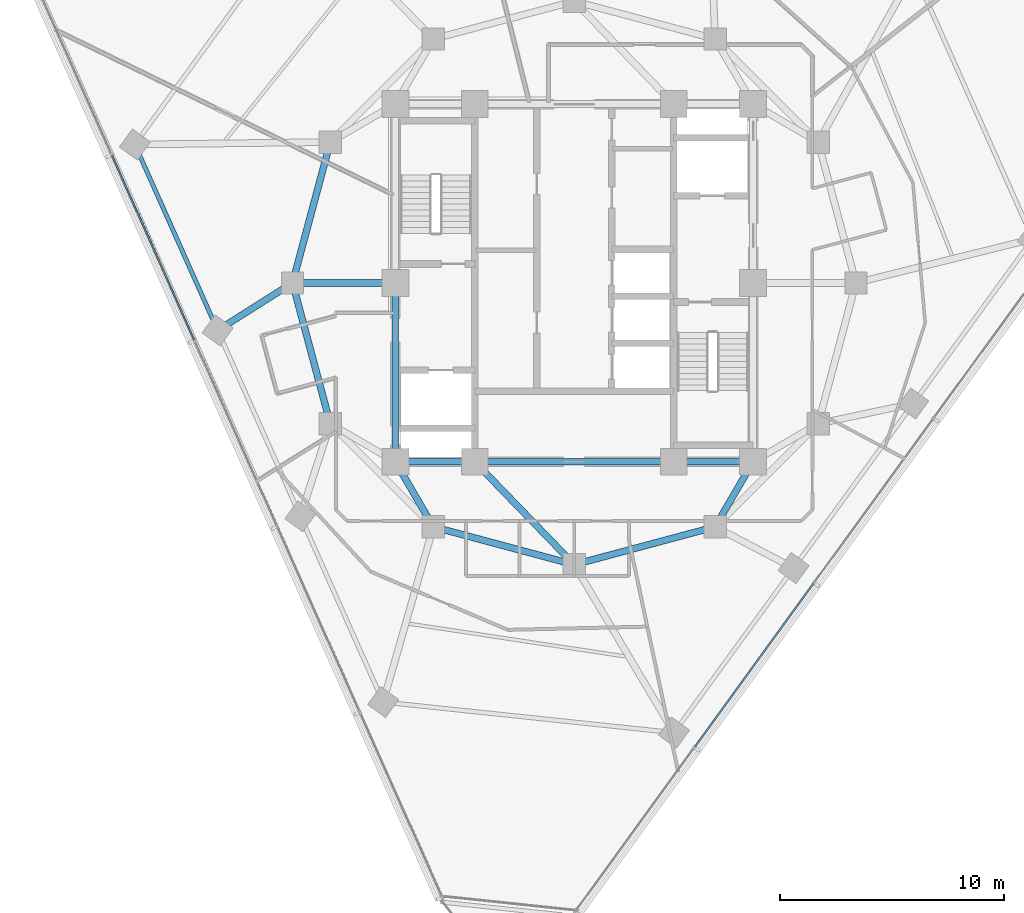
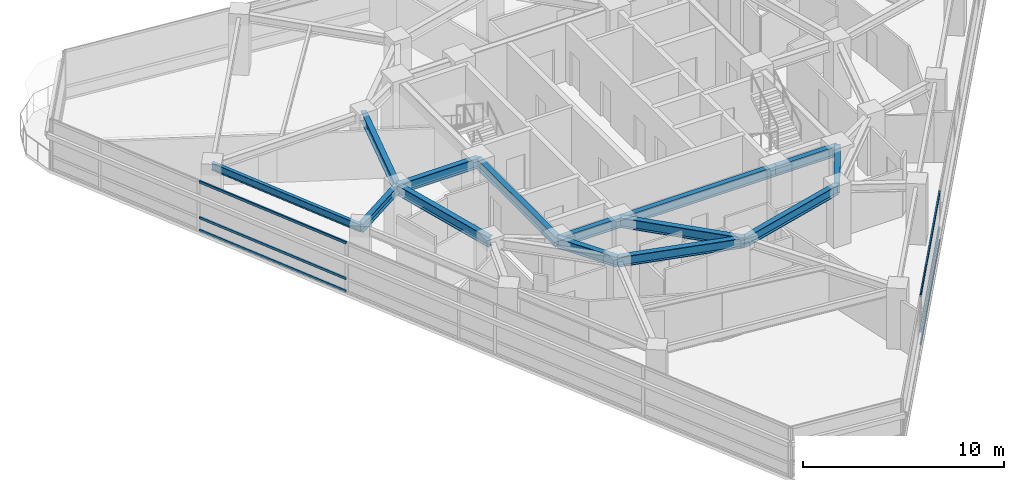
# One storey, part 3 of 14: 14 beams, 6 members, 2 elements without a shape of their own.
"""IFC4 building model written with IfcOpenShell, lengths in metres."""

from ifc_helpers import new_model, si_unit, direction, frame, origin, origin_2d, place, context, subcontext, project, spatial, rectangle, i_section, extrude, material, layer, layer_set, material_profile, profile_set, type_object, element, aggregate, save


model = new_model("IFC4")

# Units and contexts
model_context = context("Model", 3, precision=1e-05, world=origin(), true_north=direction((0.0, 1.0)))
body_context = subcontext(model_context, "Body", "Model", "MODEL_VIEW")
ifc_project = project(units=[si_unit("LENGTHUNIT", "METRE"), si_unit("AREAUNIT", "SQUARE_METRE"), si_unit("VOLUMEUNIT", "CUBIC_METRE"), si_unit("PLANEANGLEUNIT", "RADIAN"), si_unit("MASSUNIT", "GRAM", prefix="KILO")], contexts=[model_context])

# Site, building, storey
site_placement = place(None, origin())
site = spatial("IfcSite", under=ifc_project, at=site_placement, CompositionType="ELEMENT")
building_placement = place(site_placement, origin())
building = spatial("IfcBuilding", under=site, at=building_placement, Name="Terralouvre Media Tower", CompositionType="ELEMENT")
storey_placement = place(building_placement, frame((0.0, 0.0, 218.89990234375)))
storey = spatial("IfcBuildingStorey", under=building, at=storey_placement, Name="L56", CompositionType="ELEMENT", Elevation=218.89990234375)

# Curtain wall, members
ifc_material_1 = material(Name="Low-iron laminated double glazing with solar-control coating", Category="glass")
ifc_layer = layer(ifc_material_1, 0.1650390625, Name="Upper Executive Tower Curtain Wall CW-05")
ifc_layer_set = layer_set([ifc_layer], Name="Low-iron laminated double glazing with solar-control coating")
curtain_wall_type = type_object("IfcCurtainWallType", Name="Upper Executive Tower Curtain Wall CW-05", PredefinedType="NOTDEFINED", material=ifc_layer_set)
curtain_wall_1_placement = place(storey_placement, origin())
curtain_wall_1 = element("IfcCurtainWall", 1, at=curtain_wall_1_placement, inside=storey, type_object=curtain_wall_type, Name="L56 Facade Curtain Wall F0", PredefinedType="NOTDEFINED")
ifc_material_2 = material(Name="Anodised extruded aluminium 6063-T6", Category="aluminium")
ifc_material_profile_1 = material_profile(ifc_material_2, rectangle(XDim=0.074951171875, YDim=0.14990234375, at=origin_2d()), Name="ALU 75x150")
ifc_profile_set_1 = profile_set([ifc_material_profile_1], Name="Anodised extruded aluminium 6063-T6")
member_type = type_object("IfcMemberType", Name="Curtain-Wall Horizontal Transom TR-150", PredefinedType="USERDEFINED", material=ifc_profile_set_1)
member_1_placement = place(storey_placement, frame((5.39990234375, -20.749267578125, 0.03759765625), z_axis=(0.587772727709, 0.809026093869, 0.0), x_axis=(-0.809026093869, 0.587772727709, 0.0)))
member_1 = element("IfcMember", 2, at=member_1_placement, type_object=member_type, Name="CW-05 transom 2.1", ObjectType="TRANSOM", PredefinedType="USERDEFINED", context=body_context, shape_type="SweptSolid", body=[
    extrude(rectangle(XDim=0.074951171875, YDim=0.14990234375, at=origin_2d()), origin(), (0.0, 0.0, 1.0), 9.025146484375),
])
member_2_placement = place(storey_placement, frame((5.39990234375, -20.749267578125, 0.800048828125), z_axis=(0.587772727709, 0.809026093869, 0.0), x_axis=(-0.809026093869, 0.587772727709, 0.0)))
member_2 = element("IfcMember", 3, at=member_2_placement, type_object=member_type, Name="CW-05 transom 2.2", ObjectType="TRANSOM", PredefinedType="USERDEFINED", context=body_context, shape_type="SweptSolid", body=[
    extrude(rectangle(XDim=0.074951171875, YDim=0.14990234375, at=origin_2d()), origin(), (0.0, 0.0, 1.0), 9.025146484375),
])
member_3_placement = place(storey_placement, frame((5.39990234375, -20.749267578125, 2.962646484375), z_axis=(0.587772727709, 0.809026093869, 0.0), x_axis=(-0.809026093869, 0.587772727709, 0.0)))
member_3 = element("IfcMember", 4, at=member_3_placement, type_object=member_type, Name="CW-05 transom 2.3", ObjectType="TRANSOM", PredefinedType="USERDEFINED", context=body_context, shape_type="SweptSolid", body=[
    extrude(rectangle(XDim=0.074951171875, YDim=0.14990234375, at=origin_2d()), origin(), (0.0, 0.0, 1.0), 9.025146484375),
])
aggregate(curtain_wall_1, [member_1, member_2, member_3])

curtain_wall_2_placement = place(storey_placement, origin())
curtain_wall_2 = element("IfcCurtainWall", 5, at=curtain_wall_2_placement, inside=storey, type_object=curtain_wall_type, Name="L56 Facade Curtain Wall F2", PredefinedType="NOTDEFINED")
member_4_placement = place(storey_placement, frame((-20.66943359375, 5.6982421875, 0.03759765625), z_axis=(0.406740753437, -0.913543627581, 0.0), x_axis=(0.913543627581, 0.406740753437, 0.0)))
member_4 = element("IfcMember", 6, at=member_4_placement, type_object=member_type, Name="CW-05 transom 2.1", ObjectType="TRANSOM", PredefinedType="USERDEFINED", context=body_context, shape_type="SweptSolid", body=[
    extrude(rectangle(XDim=0.074951171875, YDim=0.14990234375, at=origin_2d()), origin(), (0.0, 0.0, 1.0), 9.025146484375),
])
member_5_placement = place(storey_placement, frame((-20.66943359375, 5.6982421875, 0.800048828125), z_axis=(0.406740753437, -0.913543627581, 0.0), x_axis=(0.913543627581, 0.406740753437, 0.0)))
member_5 = element("IfcMember", 7, at=member_5_placement, type_object=member_type, Name="CW-05 transom 2.2", ObjectType="TRANSOM", PredefinedType="USERDEFINED", context=body_context, shape_type="SweptSolid", body=[
    extrude(rectangle(XDim=0.074951171875, YDim=0.14990234375, at=origin_2d()), origin(), (0.0, 0.0, 1.0), 9.025146484375),
])
member_6_placement = place(storey_placement, frame((-20.66943359375, 5.6982421875, 2.962646484375), z_axis=(0.406740753437, -0.913543627581, 0.0), x_axis=(0.913543627581, 0.406740753437, 0.0)))
member_6 = element("IfcMember", 8, at=member_6_placement, type_object=member_type, Name="CW-05 transom 2.3", ObjectType="TRANSOM", PredefinedType="USERDEFINED", context=body_context, shape_type="SweptSolid", body=[
    extrude(rectangle(XDim=0.074951171875, YDim=0.14990234375, at=origin_2d()), origin(), (0.0, 0.0, 1.0), 9.025146484375),
])
aggregate(curtain_wall_2, [member_4, member_5, member_6])

# Beams
ifc_material_3 = material(Name="Structural steel S355J2", Category="steel")
ifc_material_profile_2 = material_profile(ifc_material_3, i_section(OverallWidth=0.18994140625, OverallDepth=0.449951171875, WebThickness=0.009521484375, FlangeThickness=0.0146484375, at=origin_2d()), Name="IPE 450")
ifc_profile_set_2 = profile_set([ifc_material_profile_2], Name="Structural steel S355J2")
beam_type_1 = type_object("IfcBeamType", Name="Perimeter Spandrel Beam SPB-450 (IPE 450)", PredefinedType="SPANDREL", material=ifc_profile_set_2)
beam_1_placement = place(storey_placement, frame((-19.65234375, 6.192138671875, 3.275146484375), z_axis=(0.406738273219, -0.913544731854, 0.0), x_axis=(0.913544731854, 0.406738273219, 0.0)))
element("IfcBeam", 9, at=beam_1_placement, inside=storey, type_object=beam_type_1, Name="L56 Framing Beam BM-L56-PR12", PredefinedType="SPANDREL", context=body_context, shape_type="SweptSolid", body=[
    extrude(i_section(OverallWidth=0.18994140625, OverallDepth=0.449951171875, WebThickness=0.009521484375, FlangeThickness=0.0146484375, at=origin_2d()), origin(), (0.0, 0.0, 1.0), 9.100341796875),
])
ifc_material_4 = material(Name="Structural steel S355J2", Category="steel")
ifc_material_profile_3 = material_profile(ifc_material_4, i_section(OverallWidth=0.300048828125, OverallDepth=0.5, WebThickness=0.014404296875, FlangeThickness=0.028076171875, at=origin_2d()), Name="HEB 500")
ifc_profile_set_3 = profile_set([ifc_material_profile_3], Name="Structural steel S355J2")
beam_type_2 = type_object("IfcBeamType", Name="Primary Floor Girder B-HEB500 (HEB 500)", PredefinedType="BEAM", material=ifc_profile_set_3)
beam_2_placement = place(storey_placement, frame((-12.60009765625, 0.0, 3.25), z_axis=(-0.844916454891, -0.534898293373, 0.0), x_axis=(0.534898293373, -0.844916454891, 0.0)))
element("IfcBeam", 10, at=beam_2_placement, inside=storey, type_object=beam_type_2, Name="L56 Framing Beam BM-L56-RD01", PredefinedType="BEAM", context=body_context, shape_type="SweptSolid", body=[
    extrude(i_section(OverallWidth=0.300048828125, OverallDepth=0.5, WebThickness=0.014404296875, FlangeThickness=0.028076171875, at=origin_2d()), origin(), (0.0, 0.0, 1.0), 3.9658203125),
])
ifc_material_5 = material(Name="Structural steel S460M", Category="steel")
ifc_material_profile_4 = material_profile(ifc_material_5, i_section(OverallWidth=0.300048828125, OverallDepth=0.60009765625, WebThickness=0.015380859375, FlangeThickness=0.030029296875, at=origin_2d()), Name="HEB 600")
ifc_profile_set_4 = profile_set([ifc_material_profile_4], Name="Structural steel S460M")
beam_type_3 = type_object("IfcBeamType", Name="Primary Floor Girder B-HEB600 (HEB 600)", PredefinedType="BEAM", material=ifc_profile_set_4)
beam_3_placement = place(storey_placement, frame((-8.0, -8.0, 3.2001953125), z_axis=(1.0, 0.0, 0.0), x_axis=(0.0, 1.0, 0.0)))
element("IfcBeam", 11, at=beam_3_placement, inside=storey, type_object=beam_type_3, Name="L56 Framing Beam BM-L56-CPR01", PredefinedType="BEAM", context=body_context, shape_type="SweptSolid", body=[
    extrude(i_section(OverallWidth=0.300048828125, OverallDepth=0.60009765625, WebThickness=0.015380859375, FlangeThickness=0.030029296875, at=origin_2d()), origin(), (0.0, 0.0, 1.0), 3.550048828125),
])
beam_4_placement = place(storey_placement, frame((-4.449951171875, -8.0, 3.2001953125), z_axis=(1.0, 0.0, 0.0), x_axis=(0.0, 1.0, 0.0)))
element("IfcBeam", 12, at=beam_4_placement, inside=storey, type_object=beam_type_3, Name="L56 Framing Beam BM-L56-CPR02", PredefinedType="BEAM", context=body_context, shape_type="SweptSolid", body=[
    extrude(i_section(OverallWidth=0.300048828125, OverallDepth=0.60009765625, WebThickness=0.015380859375, FlangeThickness=0.030029296875, at=origin_2d()), origin(), (0.0, 0.0, 1.0), 8.89990234375),
])
beam_5_placement = place(storey_placement, frame((4.449951171875, -8.0, 3.2001953125), z_axis=(1.0, 0.0, 0.0), x_axis=(0.0, 1.0, 0.0)))
element("IfcBeam", 13, at=beam_5_placement, inside=storey, type_object=beam_type_3, Name="L56 Framing Beam BM-L56-CPR03", PredefinedType="BEAM", context=body_context, shape_type="SweptSolid", body=[
    extrude(i_section(OverallWidth=0.300048828125, OverallDepth=0.60009765625, WebThickness=0.015380859375, FlangeThickness=0.030029296875, at=origin_2d()), origin(), (0.0, 0.0, 1.0), 3.550048828125),
])
beam_6_placement = place(storey_placement, frame((-8.0, 0.0, 3.2001953125), z_axis=(0.0, -1.0, 0.0), x_axis=(1.0, 0.0, 0.0)))
element("IfcBeam", 14, at=beam_6_placement, inside=storey, type_object=beam_type_3, Name="L56 Framing Beam BM-L56-CPR10", PredefinedType="BEAM", context=body_context, shape_type="SweptSolid", body=[
    extrude(i_section(OverallWidth=0.300048828125, OverallDepth=0.60009765625, WebThickness=0.015380859375, FlangeThickness=0.030029296875, at=origin_2d()), origin(), (0.0, 0.0, 1.0), 8.0),
])
for number, where, z_axis, x_axis, name in (
    (15, (-6.300048828125, -10.911865234375, 3.2001953125), (0.965920481897, -0.258838989821, 0.0), (0.258838989821, 0.965920481897, 0.0), "L56 Framing Beam BM-L56-MR02"),
    (16, (0.0, -12.60009765625, 3.2001953125), (0.965920481897, 0.258838989821, 0.0), (-0.258838989821, 0.965920481897, 0.0), "L56 Framing Beam BM-L56-MR03"),
    (17, (-10.911865234375, 6.300048828125, 3.2001953125), (-0.258838989821, -0.965920481897, 0.0), (0.965920481897, -0.258838989821, 0.0), "L56 Framing Beam BM-L56-MR11"),
    (18, (-12.60009765625, 0.0, 3.2001953125), (0.258838989821, -0.965920481897, 0.0), (0.965920481897, 0.258838989821, 0.0), "L56 Framing Beam BM-L56-MR12"),
):
    element("IfcBeam", number, at=place(storey_placement, frame(where, z_axis=z_axis, x_axis=x_axis)), inside=storey, type_object=beam_type_3, Name=name, PredefinedType="BEAM", context=body_context, shape_type="SweptSolid", body=[
        extrude(i_section(OverallWidth=0.300048828125, OverallDepth=0.60009765625, WebThickness=0.015380859375, FlangeThickness=0.030029296875, at=origin_2d()), origin(), (0.0, 0.0, 1.0), 6.522216796875),
    ])
beam_7_placement = place(storey_placement, frame((-8.0, -8.0, 3.2001953125), z_axis=(0.504172629717, -0.863602894532, 0.0), x_axis=(0.863602894532, 0.504172629717, 0.0)))
element("IfcBeam", 19, at=beam_7_placement, inside=storey, type_object=beam_type_3, Name="L56 Framing Beam BM-L56-CM02", PredefinedType="BEAM", context=body_context, shape_type="SweptSolid", body=[
    extrude(i_section(OverallWidth=0.300048828125, OverallDepth=0.60009765625, WebThickness=0.015380859375, FlangeThickness=0.030029296875, at=origin_2d()), origin(), (0.0, 0.0, 1.0), 3.371826171875),
])
beam_8_placement = place(storey_placement, frame((-4.449951171875, -8.0, 3.2001953125), z_axis=(0.695279715726, -0.718739255155, 0.0), x_axis=(0.718739255155, 0.695279715726, 0.0)))
element("IfcBeam", 20, at=beam_8_placement, inside=storey, type_object=beam_type_3, Name="L56 Framing Beam BM-L56-CM03", PredefinedType="BEAM", context=body_context, shape_type="SweptSolid", body=[
    extrude(i_section(OverallWidth=0.300048828125, OverallDepth=0.60009765625, WebThickness=0.015380859375, FlangeThickness=0.030029296875, at=origin_2d()), origin(), (0.0, 0.0, 1.0), 6.400146484375),
])
beam_9_placement = place(storey_placement, frame((8.0, -8.0, 3.2001953125), z_axis=(-0.504172629717, -0.863602894532, 0.0), x_axis=(0.863602894532, -0.504172629717, 0.0)))
element("IfcBeam", 21, at=beam_9_placement, inside=storey, type_object=beam_type_3, Name="L56 Framing Beam BM-L56-CM04", PredefinedType="BEAM", context=body_context, shape_type="SweptSolid", body=[
    extrude(i_section(OverallWidth=0.300048828125, OverallDepth=0.60009765625, WebThickness=0.015380859375, FlangeThickness=0.030029296875, at=origin_2d()), origin(), (0.0, 0.0, 1.0), 3.371826171875),
])
beam_10_placement = place(storey_placement, frame((-8.0, 0.0, 3.2001953125), z_axis=(-1.0, 0.0, 0.0), x_axis=(0.0, -1.0, 0.0)))
element("IfcBeam", 22, at=beam_10_placement, inside=storey, type_object=beam_type_3, Name="L56 Framing Beam BM-L56-CM12", PredefinedType="BEAM", context=body_context, shape_type="SweptSolid", body=[
    extrude(i_section(OverallWidth=0.300048828125, OverallDepth=0.60009765625, WebThickness=0.015380859375, FlangeThickness=0.030029296875, at=origin_2d()), origin(), (0.0, 0.0, 1.0), 4.60009765625),
])

save(model, "model.ifc")
